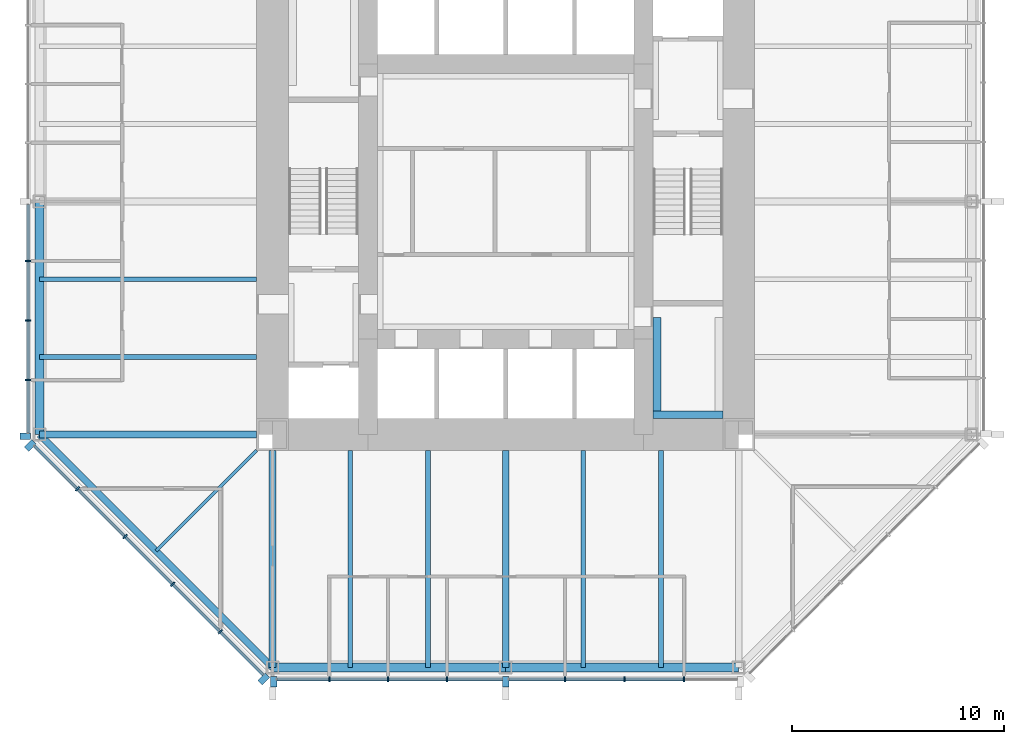
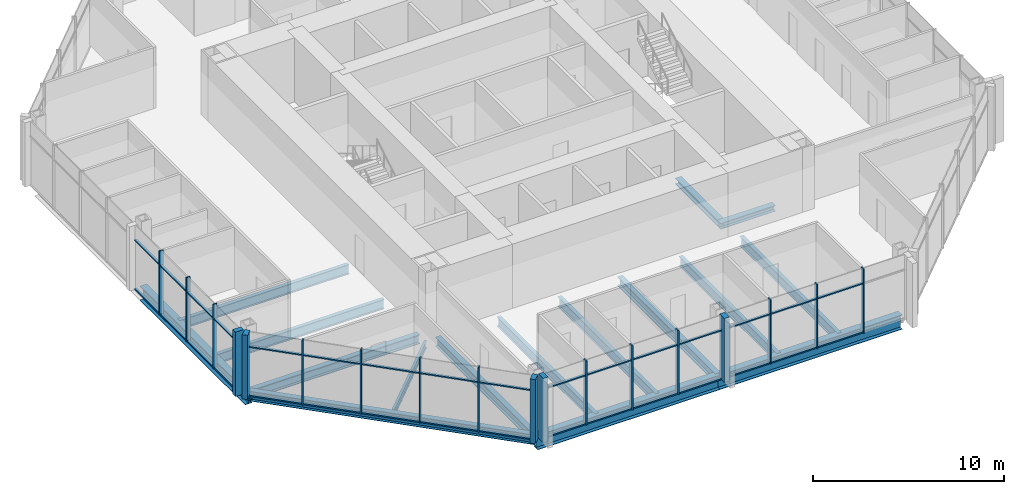
# One storey, part 2 of 12: 50 members, 16 beams, 3 elements without a shape of their own.
"""IFC4 building model written with IfcOpenShell, lengths in metres."""

import ifcopenshell
import ifcopenshell.guid

model = None  # the IFC model being written
_history = None  # IfcOwnerHistory: only IFC2X3 demands one
_inside = {}  # id of a spatial element -> (the spatial element, [elements in it])
_under = {}  # id of a project, library or spatial element -> (it, [spatial elements below it])
_declared = {}  # id of a project -> (the project, [libraries it declares])
_typed = {}  # id of a type object -> (the type object, [elements of that type])
_made_of = {}  # id of a material, layer set ... -> (it, [elements and type objects made of it])


def new_model(schema):
    """Start an empty IFC model of exactly this schema.

    Asked for "IFC4X3", IfcOpenShell would pick the latest addendum, in which some entities
    have other attributes; the version numbers below select the first issue.
    IFC2X3 requires an IfcOwnerHistory on every rooted entity: one is made here for all.
    """
    global model, _history
    if schema == "IFC4X3":
        model = ifcopenshell.file(schema_version=(4, 3, 0, 0))
    else:
        model = ifcopenshell.file(schema=schema)
    _inside.clear()
    _under.clear()
    _declared.clear()
    _typed.clear()
    _made_of.clear()
    _history = None
    if model.schema == "IFC2X3":
        org = make("IfcOrganization", Name="unknown")
        user = make(
            "IfcPersonAndOrganization",
            ThePerson=make("IfcPerson", FamilyName="unknown"),
            TheOrganization=org,
        )
        app = make(
            "IfcApplication",
            ApplicationDeveloper=org,
            Version="unknown",
            ApplicationFullName="unknown",
            ApplicationIdentifier="unknown",
        )
        _history = make(
            "IfcOwnerHistory",
            OwningUser=user,
            OwningApplication=app,
            ChangeAction="ADDED",
            CreationDate=0,
        )
    return model


def make(cls, **values):
    """One entity of the class cls with the attributes given. An attribute that is None is left unset."""
    return model.create_entity(
        cls, **{name: value for name, value in values.items() if value is not None}
    )


def rooted(cls, **values):
    """An entity with a GlobalId (a new one), such as an element, a storey or a relation."""
    return make(cls, GlobalId=ifcopenshell.guid.new(), OwnerHistory=_history, **values)


def si_unit(unit_type, name, prefix=None):
    """IfcSIUnit, for example si_unit("LENGTHUNIT", "METRE", prefix="MILLI")."""
    return make("IfcSIUnit", UnitType=unit_type, Prefix=prefix, Name=name)


def assignment(units):
    """IfcUnitAssignment: the units of a project."""
    return None if units is None else make("IfcUnitAssignment", Units=units)


def point(xyz):
    """IfcCartesianPoint."""
    return None if xyz is None else make("IfcCartesianPoint", Coordinates=xyz)


def direction(xyz):
    """IfcDirection."""
    return None if xyz is None else make("IfcDirection", DirectionRatios=xyz)


def frame(location, z_axis=None, x_axis=None):
    """IfcAxis2Placement3D, a coordinate frame: its origin and axes. An axis left out is left unset."""
    return make(
        "IfcAxis2Placement3D",
        Location=point(location),
        Axis=direction(z_axis),
        RefDirection=direction(x_axis),
    )


def frame_2d(location, x_axis=None):
    """IfcAxis2Placement2D, a coordinate frame in the plane: its origin and x axis."""
    return make(
        "IfcAxis2Placement2D", Location=point(location), RefDirection=direction(x_axis)
    )


def origin():
    """The frame at (0, 0, 0) with its axes left unset."""
    return frame((0.0, 0.0, 0.0))


def origin_2d():
    """The frame at (0, 0) in the plane with its x axis left unset."""
    return frame_2d((0.0, 0.0))


def place(relative_to, where):
    """IfcLocalPlacement: puts the frame where relative to a parent placement (None: the world)."""
    return make(
        "IfcLocalPlacement", PlacementRelTo=relative_to, RelativePlacement=where
    )


def context(
    kind, dimensions, precision=None, world=None, true_north=None, identifier=None
):
    """IfcGeometricRepresentationContext, for example the 3D "Model" context."""
    return make(
        "IfcGeometricRepresentationContext",
        ContextIdentifier=identifier,
        ContextType=kind,
        CoordinateSpaceDimension=dimensions,
        Precision=precision,
        WorldCoordinateSystem=world,
        TrueNorth=true_north,
    )


def subcontext(parent, identifier, kind, view, scale=None):
    """IfcGeometricRepresentationSubContext, for example "Body" below "Model"."""
    return make(
        "IfcGeometricRepresentationSubContext",
        ContextIdentifier=identifier,
        ContextType=kind,
        ParentContext=parent,
        TargetScale=scale,
        TargetView=view,
    )


def project(units=None, contexts=None):
    """IfcProject with its units and contexts."""
    return rooted(
        "IfcProject",
        Name="project",
        RepresentationContexts=contexts,
        UnitsInContext=assignment(units),
    )


def spatial(cls, under=None, at=None, **own):
    """A site, building, storey or space (cls), placed at a placement, below another one or the project."""
    s = rooted(cls, ObjectPlacement=at, **own)
    if under is not None:
        _under.setdefault(under.id(), (under, []))[1].append(s)
    return s


def profile(cls, at=None, kind="AREA", **sizes):
    """A parametric profile (cls). Its sizes go by their IFC names, for example OverallWidth=200.0."""
    return make(cls, ProfileType=kind, Position=at, **sizes)


def rectangle(**sizes):
    """IfcRectangleProfileDef."""
    return profile("IfcRectangleProfileDef", **sizes)


def i_section(**sizes):
    """IfcIShapeProfileDef."""
    return profile("IfcIShapeProfileDef", **sizes)


def extrude(swept, where, along, depth):
    """IfcExtrudedAreaSolid: the profile swept, set in the frame where, extruded along a direction by depth."""
    return make(
        "IfcExtrudedAreaSolid",
        SweptArea=swept,
        Position=where,
        ExtrudedDirection=direction(along),
        Depth=depth,
    )


def shape(context_of_items, identifier, shape_type, items):
    """IfcShapeRepresentation: the items that make up one representation, for example the "Body"."""
    return make(
        "IfcShapeRepresentation",
        ContextOfItems=context_of_items,
        RepresentationIdentifier=identifier,
        RepresentationType=shape_type,
        Items=items,
    )


def material(Name=None, Category=None):
    """IfcMaterial."""
    return make("IfcMaterial", Name=Name, Category=Category)


def material_profile(
    of_material, cross_section, Name=None, Category=None, Priority=None
):
    """IfcMaterialProfile: a cross section and its material."""
    return make(
        "IfcMaterialProfile",
        Name=Name,
        Material=of_material,
        Profile=cross_section,
        Priority=Priority,
        Category=Category,
    )


def profile_set(profiles, Name=None, composite=None):
    """IfcMaterialProfileSet."""
    return make(
        "IfcMaterialProfileSet",
        Name=Name,
        MaterialProfiles=profiles,
        CompositeProfile=composite,
    )


def made_of(thing, what):
    """Note that an element or type object is made of a material, layer set ...; save() writes the relation."""
    if what is not None:
        _made_of.setdefault(what.id(), (what, []))[1].append(thing)
    return thing


def type_object(cls, material=None, **own):
    """A type object (cls), such as IfcWallType, which elements share."""
    return made_of(rooted(cls, **own), material)


def element(
    cls,
    number,
    at=None,
    inside=None,
    cuts=None,
    type_object=None,
    material=None,
    context=None,
    identifier="Body",
    shape_type=None,
    held_by="IfcProductDefinitionShape",
    body=None,
    shapes=None,
    **own,
):
    """One element of the class cls, such as IfcWall. Its Tag is "e" and its number.

    at: its placement. inside: the storey or other place that contains it. cuts: it is an
    opening in that element (IfcRelVoidsElement). A single representation is given by context,
    identifier, shape_type and body (its items); several are given by shapes. held_by: the class
    of the entity that holds the representations. save() writes the other relations.
    """
    e = rooted(cls, Tag="e%d" % number, ObjectPlacement=at, **own)
    if body is not None:
        shapes = [shape(context, identifier, shape_type, body)]
    if shapes is not None:
        e.Representation = make(held_by, Representations=shapes)
    if inside is not None:
        _inside.setdefault(inside.id(), (inside, []))[1].append(e)
    if cuts is not None:
        rooted(
            "IfcRelVoidsElement", RelatingBuildingElement=cuts, RelatedOpeningElement=e
        )
    if type_object is not None:
        _typed.setdefault(type_object.id(), (type_object, []))[1].append(e)
    return made_of(e, material)


def aggregate(whole, parts):
    """IfcRelAggregates: a whole, such as a stair, and the parts it consists of."""
    return rooted("IfcRelAggregates", RelatingObject=whole, RelatedObjects=parts)


def save(model, path):
    """Write the relations noted so far, then the file.

    IfcRelAggregates (storeys below a building ...), IfcRelContainedInSpatialStructure (elements
    in a storey), IfcRelDefinesByType, IfcRelAssociatesMaterial and IfcRelDeclares: one each for
    every whole, place, type object, material and project.
    """
    for whole, parts in _under.values():
        aggregate(whole, parts)
    for where, things in _inside.values():
        rooted(
            "IfcRelContainedInSpatialStructure",
            RelatedElements=things,
            RelatingStructure=where,
        )
    for kind, things in _typed.values():
        rooted("IfcRelDefinesByType", RelatedObjects=things, RelatingType=kind)
    for what, things in _made_of.values():
        rooted("IfcRelAssociatesMaterial", RelatedObjects=things, RelatingMaterial=what)
    for by, libraries in _declared.values():
        rooted("IfcRelDeclares", RelatingContext=by, RelatedDefinitions=libraries)
    model.write(path)


model = new_model("IFC4")

# Units and contexts
model_context = context("Model", 3, precision=1e-05, world=origin(), true_north=direction((0.0, 1.0)))
body_context = subcontext(model_context, "Body", "Model", "MODEL_VIEW")
ifc_project = project(units=[si_unit("LENGTHUNIT", "METRE"), si_unit("AREAUNIT", "SQUARE_METRE"), si_unit("VOLUMEUNIT", "CUBIC_METRE"), si_unit("PLANEANGLEUNIT", "RADIAN"), si_unit("MASSUNIT", "GRAM", prefix="KILO")], contexts=[model_context])

# Site, building, storey
site_placement = place(None, origin())
site = spatial("IfcSite", under=ifc_project, at=site_placement, CompositionType="ELEMENT")
building_placement = place(site_placement, origin())
building = spatial("IfcBuilding", under=site, at=building_placement, Name="Trevanion Tower", CompositionType="ELEMENT")
storey_placement = place(building_placement, frame((0.0, 0.0, 170.5)))
storey = spatial("IfcBuildingStorey", under=building, at=storey_placement, Name="L40", CompositionType="ELEMENT", Elevation=170.5)

# Beams
ifc_material_1 = material(Name="Steel ASTM A992 Grade 50", Category="steel")
ifc_material_profile_1 = material_profile(ifc_material_1, i_section(OverallWidth=0.22900390625, OverallDepth=0.612060546875, WebThickness=0.011962890625, FlangeThickness=0.01953125, at=origin_2d()), Name="W24X84")
ifc_profile_set_1 = profile_set([ifc_material_profile_1], Name="Steel ASTM A992 Grade 50")
beam_type_1 = type_object("IfcBeamType", Name="B7 W24X84", PredefinedType="BEAM", material=ifc_profile_set_1)
for number, where, z_axis, x_axis, name in (
    (1, (-11.75, -3.666748046875, -0.49609375), (-1.0, 0.0, 0.0), (0.0, -1.0, 0.0), "B7 L40"),
    (2, (-11.75, -7.333251953125, -0.49609375), (-1.0, 0.0, 0.0), (0.0, -1.0, 0.0), "B7 L40"),
    (3, (-7.333251953125, -11.75, -0.49609375), (0.0, -1.0, 0.0), (1.0, 0.0, 0.0), "B7 L40"),
    (4, (-3.666748046875, -11.75, -0.49609375), (0.0, -1.0, 0.0), (1.0, 0.0, 0.0), "B7 L40"),
    (5, (3.666748046875, -11.75, -0.49609375), (0.0, -1.0, 0.0), (1.0, 0.0, 0.0), "B7 L40"),
    (6, (7.333251953125, -11.75, -0.49609375), (0.0, -1.0, 0.0), (1.0, 0.0, 0.0), "B7 L40"),
):
    element("IfcBeam", number, at=place(storey_placement, frame(where, z_axis=z_axis, x_axis=x_axis)), inside=storey, type_object=beam_type_1, Name=name, PredefinedType="BEAM", context=body_context, shape_type="SweptSolid", body=[
        extrude(i_section(OverallWidth=0.22900390625, OverallDepth=0.612060546875, WebThickness=0.011962890625, FlangeThickness=0.01953125, at=origin_2d()), origin(), (0.0, 0.0, 1.0), 10.25),
    ])
ifc_material_2 = material(Name="Steel ASTM A992 Grade 50", Category="steel")
ifc_material_profile_2 = material_profile(ifc_material_2, i_section(OverallWidth=0.15234375, OverallDepth=0.449462890625, WebThickness=0.007568359375, FlangeThickness=0.0107421875, at=origin_2d()), Name="W18X35")
ifc_profile_set_2 = profile_set([ifc_material_profile_2], Name="Steel ASTM A992 Grade 50")
beam_type_2 = type_object("IfcBeamType", Name="B8 W18X35", PredefinedType="BEAM", material=ifc_profile_set_2)
beam_1_placement = place(storey_placement, frame((-11.75, -11.75, -0.414794921875), z_axis=(-0.707106781187, -0.707106781187, 0.0), x_axis=(0.707106781187, -0.707106781187, 0.0)))
element("IfcBeam", 7, at=beam_1_placement, inside=storey, type_object=beam_type_2, Name="B8 L40", PredefinedType="BEAM", context=body_context, shape_type="SweptSolid", body=[
    extrude(i_section(OverallWidth=0.15234375, OverallDepth=0.449462890625, WebThickness=0.007568359375, FlangeThickness=0.0107421875, at=origin_2d()), origin(), (0.0, 0.0, 1.0), 6.717529296875),
])

# Curtain wall, members
ifc_material_3 = material(Name="Aluminium and glass", Category="aluminium")
curtain_wall_type = type_object("IfcCurtainWallType", Name="CW2 curtain wall", PredefinedType="USERDEFINED", material=ifc_material_3)
curtain_wall_1_placement = place(storey_placement, origin())
curtain_wall_1 = element("IfcCurtainWall", 8, at=curtain_wall_1_placement, inside=storey, type_object=curtain_wall_type, Name="CW2 L40 4", ObjectType="UNITISED CURTAIN WALL", PredefinedType="USERDEFINED")
ifc_material_4 = material(Name="Aluminium extrusion, anodised bronze", Category="aluminium")
ifc_material_profile_3 = material_profile(ifc_material_4, rectangle(XDim=0.074951171875, YDim=0.25, at=origin_2d()), Name="CW2 mullion")
ifc_profile_set_3 = profile_set([ifc_material_profile_3], Name="Aluminium extrusion, anodised bronze")
member_type_1 = type_object("IfcMemberType", Name="CW2 mullion", PredefinedType="MULLION", material=ifc_profile_set_3)
member_1_placement = place(storey_placement, frame((-22.550048828125, -2.806884765625, -0.18994140625), z_axis=(0.0, 0.0, 1.0), x_axis=(0.0, -1.0, 0.0)))
member_1 = element("IfcMember", 9, at=member_1_placement, type_object=member_type_1, Name="CW2 mullion 6", PredefinedType="MULLION", context=body_context, shape_type="SweptSolid", body=[
    extrude(rectangle(XDim=0.074951171875, YDim=0.25, at=origin_2d()), origin(), (0.0, 0.0, 1.0), 4.099853515625),
])
member_2_placement = place(storey_placement, frame((-22.550048828125, -5.614013671875, -0.18994140625), z_axis=(0.0, 0.0, 1.0), x_axis=(0.0, -1.0, 0.0)))
member_2 = element("IfcMember", 10, at=member_2_placement, type_object=member_type_1, Name="CW2 mullion 7", PredefinedType="MULLION", context=body_context, shape_type="SweptSolid", body=[
    extrude(rectangle(XDim=0.074951171875, YDim=0.25, at=origin_2d()), origin(), (0.0, 0.0, 1.0), 4.099853515625),
])
member_3_placement = place(storey_placement, frame((-22.550048828125, -8.4208984375, -0.18994140625), z_axis=(0.0, 0.0, 1.0), x_axis=(0.0, -1.0, 0.0)))
member_3 = element("IfcMember", 11, at=member_3_placement, type_object=member_type_1, Name="CW2 mullion 8", PredefinedType="MULLION", context=body_context, shape_type="SweptSolid", body=[
    extrude(rectangle(XDim=0.074951171875, YDim=0.25, at=origin_2d()), origin(), (0.0, 0.0, 1.0), 4.099853515625),
])

curtain_wall_2_placement = place(storey_placement, origin())
curtain_wall_2 = element("IfcCurtainWall", 12, at=curtain_wall_2_placement, inside=storey, type_object=curtain_wall_type, Name="CW2 L40 5", ObjectType="UNITISED CURTAIN WALL", PredefinedType="USERDEFINED")
member_4_placement = place(storey_placement, frame((-20.2119140625, -13.56591796875, -0.18994140625), z_axis=(0.0, 0.0, 1.0), x_axis=(0.707106781187, -0.707106781187, 0.0)))
member_4 = element("IfcMember", 13, at=member_4_placement, type_object=member_type_1, Name="CW2 mullion 2", PredefinedType="MULLION", context=body_context, shape_type="SweptSolid", body=[
    extrude(rectangle(XDim=0.074951171875, YDim=0.25, at=origin_2d()), origin(), (0.0, 0.0, 1.0), 4.099853515625),
])
member_5_placement = place(storey_placement, frame((-17.966064453125, -15.811767578125, -0.18994140625), z_axis=(0.0, 0.0, 1.0), x_axis=(0.707106781187, -0.707106781187, 0.0)))
member_5 = element("IfcMember", 14, at=member_5_placement, type_object=member_type_1, Name="CW2 mullion 3", PredefinedType="MULLION", context=body_context, shape_type="SweptSolid", body=[
    extrude(rectangle(XDim=0.074951171875, YDim=0.25, at=origin_2d()), origin(), (0.0, 0.0, 1.0), 4.099853515625),
])
member_6_placement = place(storey_placement, frame((-15.719970703125, -18.057861328125, -0.18994140625), z_axis=(0.0, 0.0, 1.0), x_axis=(0.707106781187, -0.707106781187, 0.0)))
member_6 = element("IfcMember", 15, at=member_6_placement, type_object=member_type_1, Name="CW2 mullion 4", PredefinedType="MULLION", context=body_context, shape_type="SweptSolid", body=[
    extrude(rectangle(XDim=0.074951171875, YDim=0.25, at=origin_2d()), origin(), (0.0, 0.0, 1.0), 4.099853515625),
])
member_7_placement = place(storey_placement, frame((-13.473876953125, -20.303955078125, -0.18994140625), z_axis=(0.0, 0.0, 1.0), x_axis=(0.707106781187, -0.707106781187, 0.0)))
member_7 = element("IfcMember", 16, at=member_7_placement, type_object=member_type_1, Name="CW2 mullion 5", PredefinedType="MULLION", context=body_context, shape_type="SweptSolid", body=[
    extrude(rectangle(XDim=0.074951171875, YDim=0.25, at=origin_2d()), origin(), (0.0, 0.0, 1.0), 4.099853515625),
])

curtain_wall_3_placement = place(storey_placement, origin())
curtain_wall_3 = element("IfcCurtainWall", 17, at=curtain_wall_3_placement, inside=storey, type_object=curtain_wall_type, Name="CW2 L40 6", ObjectType="UNITISED CURTAIN WALL", PredefinedType="USERDEFINED")
member_8_placement = place(storey_placement, frame((-8.323486328125, -22.550048828125, -0.18994140625), z_axis=(0.0, 0.0, 1.0), x_axis=(1.0, 0.0, 0.0)))
member_8 = element("IfcMember", 18, at=member_8_placement, type_object=member_type_1, Name="CW2 mullion 2", PredefinedType="MULLION", context=body_context, shape_type="SweptSolid", body=[
    extrude(rectangle(XDim=0.074951171875, YDim=0.25, at=origin_2d()), origin(), (0.0, 0.0, 1.0), 4.099853515625),
])
member_9_placement = place(storey_placement, frame((-5.548828125, -22.550048828125, -0.18994140625), z_axis=(0.0, 0.0, 1.0), x_axis=(1.0, 0.0, 0.0)))
member_9 = element("IfcMember", 19, at=member_9_placement, type_object=member_type_1, Name="CW2 mullion 3", PredefinedType="MULLION", context=body_context, shape_type="SweptSolid", body=[
    extrude(rectangle(XDim=0.074951171875, YDim=0.25, at=origin_2d()), origin(), (0.0, 0.0, 1.0), 4.099853515625),
])
member_10_placement = place(storey_placement, frame((-2.7744140625, -22.550048828125, -0.18994140625), z_axis=(0.0, 0.0, 1.0), x_axis=(1.0, 0.0, 0.0)))
member_10 = element("IfcMember", 20, at=member_10_placement, type_object=member_type_1, Name="CW2 mullion 4", PredefinedType="MULLION", context=body_context, shape_type="SweptSolid", body=[
    extrude(rectangle(XDim=0.074951171875, YDim=0.25, at=origin_2d()), origin(), (0.0, 0.0, 1.0), 4.099853515625),
])
member_11_placement = place(storey_placement, frame((2.806884765625, -22.550048828125, -0.18994140625), z_axis=(0.0, 0.0, 1.0), x_axis=(1.0, 0.0, 0.0)))
member_11 = element("IfcMember", 21, at=member_11_placement, type_object=member_type_1, Name="CW2 mullion 6", PredefinedType="MULLION", context=body_context, shape_type="SweptSolid", body=[
    extrude(rectangle(XDim=0.074951171875, YDim=0.25, at=origin_2d()), origin(), (0.0, 0.0, 1.0), 4.099853515625),
])
member_12_placement = place(storey_placement, frame((5.614013671875, -22.550048828125, -0.18994140625), z_axis=(0.0, 0.0, 1.0), x_axis=(1.0, 0.0, 0.0)))
member_12 = element("IfcMember", 22, at=member_12_placement, type_object=member_type_1, Name="CW2 mullion 7", PredefinedType="MULLION", context=body_context, shape_type="SweptSolid", body=[
    extrude(rectangle(XDim=0.074951171875, YDim=0.25, at=origin_2d()), origin(), (0.0, 0.0, 1.0), 4.099853515625),
])
member_13_placement = place(storey_placement, frame((8.4208984375, -22.550048828125, -0.18994140625), z_axis=(0.0, 0.0, 1.0), x_axis=(1.0, 0.0, 0.0)))
member_13 = element("IfcMember", 23, at=member_13_placement, type_object=member_type_1, Name="CW2 mullion 8", PredefinedType="MULLION", context=body_context, shape_type="SweptSolid", body=[
    extrude(rectangle(XDim=0.074951171875, YDim=0.25, at=origin_2d()), origin(), (0.0, 0.0, 1.0), 4.099853515625),
])

# Member
ifc_material_5 = material(Name="Aluminium extrusion, anodised bronze", Category="aluminium")
ifc_material_profile_4 = material_profile(ifc_material_5, rectangle(XDim=0.300048828125, YDim=0.5, at=origin_2d()), Name="CW2 pier mullion")
ifc_profile_set_4 = profile_set([ifc_material_profile_4], Name="Aluminium extrusion, anodised bronze")
member_type_2 = type_object("IfcMemberType", Name="CW2 pier mullion", PredefinedType="MULLION", material=ifc_profile_set_4)
member_14_placement = place(storey_placement, frame((-22.675048828125, -11.077880859375, -0.18994140625), z_axis=(0.0, 0.0, 1.0), x_axis=(0.0, -1.0, 0.0)))
member_14 = element("IfcMember", 24, at=member_14_placement, type_object=member_type_2, Name="CW2 pier mullion 9", PredefinedType="MULLION", context=body_context, shape_type="SweptSolid", body=[
    extrude(rectangle(XDim=0.300048828125, YDim=0.5, at=origin_2d()), origin(), (0.0, 0.0, 1.0), 4.099853515625),
])

member_15_placement = place(storey_placement, frame((-22.4404296875, -11.51416015625, -0.18994140625), z_axis=(0.0, 0.0, 1.0), x_axis=(0.707106781187, -0.707106781187, 0.0)))
member_15 = element("IfcMember", 25, at=member_15_placement, type_object=member_type_2, Name="CW2 pier mullion 1", PredefinedType="MULLION", context=body_context, shape_type="SweptSolid", body=[
    extrude(rectangle(XDim=0.300048828125, YDim=0.5, at=origin_2d()), origin(), (0.0, 0.0, 1.0), 4.099853515625),
])

member_16_placement = place(storey_placement, frame((-11.42236328125, -22.5322265625, -0.18994140625), z_axis=(0.0, 0.0, 1.0), x_axis=(0.707106781187, -0.707106781187, 0.0)))
member_16 = element("IfcMember", 26, at=member_16_placement, type_object=member_type_2, Name="CW2 pier mullion 6", PredefinedType="MULLION", context=body_context, shape_type="SweptSolid", body=[
    extrude(rectangle(XDim=0.300048828125, YDim=0.5, at=origin_2d()), origin(), (0.0, 0.0, 1.0), 4.099853515625),
])

member_17_placement = place(storey_placement, frame((-10.94775390625, -22.675048828125, -0.18994140625), z_axis=(0.0, 0.0, 1.0), x_axis=(1.0, 0.0, 0.0)))
member_17 = element("IfcMember", 27, at=member_17_placement, type_object=member_type_2, Name="CW2 pier mullion 1", PredefinedType="MULLION", context=body_context, shape_type="SweptSolid", body=[
    extrude(rectangle(XDim=0.300048828125, YDim=0.5, at=origin_2d()), origin(), (0.0, 0.0, 1.0), 4.099853515625),
])

member_18_placement = place(storey_placement, frame((0.0, -22.675048828125, -0.18994140625), z_axis=(0.0, 0.0, 1.0), x_axis=(1.0, 0.0, 0.0)))
member_18 = element("IfcMember", 28, at=member_18_placement, type_object=member_type_2, Name="CW2 pier mullion 5", PredefinedType="MULLION", context=body_context, shape_type="SweptSolid", body=[
    extrude(rectangle(XDim=0.300048828125, YDim=0.5, at=origin_2d()), origin(), (0.0, 0.0, 1.0), 4.099853515625),
])

ifc_material_6 = material(Name="Aluminium extrusion, anodised bronze", Category="aluminium")
ifc_material_profile_5 = material_profile(ifc_material_6, rectangle(XDim=0.14990234375, YDim=0.074951171875, at=origin_2d()), Name="CW2 transom")
ifc_profile_set_5 = profile_set([ifc_material_profile_5], Name="Aluminium extrusion, anodised bronze")
member_type_3 = type_object("IfcMemberType", Name="CW2 transom", PredefinedType="USERDEFINED", material=ifc_profile_set_5)
member_19_placement = place(storey_placement, frame((-22.550048828125, -0.14990234375, -0.152587890625), z_axis=(0.0, -1.0, 0.0), x_axis=(1.0, 0.0, 0.0)))
member_19 = element("IfcMember", 29, at=member_19_placement, type_object=member_type_3, Name="CW2 transom 5.1", ObjectType="TRANSOM", PredefinedType="USERDEFINED", context=body_context, shape_type="SweptSolid", body=[
    extrude(rectangle(XDim=0.14990234375, YDim=0.074951171875, at=origin_2d()), origin(), (0.0, 0.0, 1.0), 2.619384765625),
])

member_20_placement = place(storey_placement, frame((-22.550048828125, -0.14990234375, 2.9599609375), z_axis=(0.0, -1.0, 0.0), x_axis=(1.0, 0.0, 0.0)))
member_20 = element("IfcMember", 30, at=member_20_placement, type_object=member_type_3, Name="CW2 transom 5.2", ObjectType="TRANSOM", PredefinedType="USERDEFINED", context=body_context, shape_type="SweptSolid", body=[
    extrude(rectangle(XDim=0.14990234375, YDim=0.074951171875, at=origin_2d()), origin(), (0.0, 0.0, 1.0), 2.619384765625),
])

member_21_placement = place(storey_placement, frame((-22.550048828125, -2.844482421875, -0.152587890625), z_axis=(0.0, -1.0, 0.0), x_axis=(1.0, 0.0, 0.0)))
member_21 = element("IfcMember", 31, at=member_21_placement, type_object=member_type_3, Name="CW2 transom 6.1", ObjectType="TRANSOM", PredefinedType="USERDEFINED", context=body_context, shape_type="SweptSolid", body=[
    extrude(rectangle(XDim=0.14990234375, YDim=0.074951171875, at=origin_2d()), origin(), (0.0, 0.0, 1.0), 2.73193359375),
])

member_22_placement = place(storey_placement, frame((-22.550048828125, -2.844482421875, 2.9599609375), z_axis=(0.0, -1.0, 0.0), x_axis=(1.0, 0.0, 0.0)))
member_22 = element("IfcMember", 32, at=member_22_placement, type_object=member_type_3, Name="CW2 transom 6.2", ObjectType="TRANSOM", PredefinedType="USERDEFINED", context=body_context, shape_type="SweptSolid", body=[
    extrude(rectangle(XDim=0.14990234375, YDim=0.074951171875, at=origin_2d()), origin(), (0.0, 0.0, 1.0), 2.73193359375),
])

member_23_placement = place(storey_placement, frame((-22.550048828125, -5.6513671875, -0.152587890625), z_axis=(0.0, -1.0, 0.0), x_axis=(1.0, 0.0, 0.0)))
member_23 = element("IfcMember", 33, at=member_23_placement, type_object=member_type_3, Name="CW2 transom 7.1", ObjectType="TRANSOM", PredefinedType="USERDEFINED", context=body_context, shape_type="SweptSolid", body=[
    extrude(rectangle(XDim=0.14990234375, YDim=0.074951171875, at=origin_2d()), origin(), (0.0, 0.0, 1.0), 2.73193359375),
])

member_24_placement = place(storey_placement, frame((-22.550048828125, -5.6513671875, 2.9599609375), z_axis=(0.0, -1.0, 0.0), x_axis=(1.0, 0.0, 0.0)))
member_24 = element("IfcMember", 34, at=member_24_placement, type_object=member_type_3, Name="CW2 transom 7.2", ObjectType="TRANSOM", PredefinedType="USERDEFINED", context=body_context, shape_type="SweptSolid", body=[
    extrude(rectangle(XDim=0.14990234375, YDim=0.074951171875, at=origin_2d()), origin(), (0.0, 0.0, 1.0), 2.73193359375),
])

member_25_placement = place(storey_placement, frame((-22.550048828125, -8.45849609375, -0.152587890625), z_axis=(0.0, -1.0, 0.0), x_axis=(1.0, 0.0, 0.0)))
member_25 = element("IfcMember", 35, at=member_25_placement, type_object=member_type_3, Name="CW2 transom 8.1", ObjectType="TRANSOM", PredefinedType="USERDEFINED", context=body_context, shape_type="SweptSolid", body=[
    extrude(rectangle(XDim=0.14990234375, YDim=0.074951171875, at=origin_2d()), origin(), (0.0, 0.0, 1.0), 2.46923828125),
])

member_26_placement = place(storey_placement, frame((-22.550048828125, -8.45849609375, 2.9599609375), z_axis=(0.0, -1.0, 0.0), x_axis=(1.0, 0.0, 0.0)))
member_26 = element("IfcMember", 36, at=member_26_placement, type_object=member_type_3, Name="CW2 transom 8.2", ObjectType="TRANSOM", PredefinedType="USERDEFINED", context=body_context, shape_type="SweptSolid", body=[
    extrude(rectangle(XDim=0.14990234375, YDim=0.074951171875, at=origin_2d()), origin(), (0.0, 0.0, 1.0), 2.46923828125),
])

aggregate(curtain_wall_1, [member_1, member_2, member_3, member_14, member_19, member_20, member_21, member_22, member_23, member_24, member_25, member_26])

member_27_placement = place(storey_placement, frame((-22.245849609375, -11.531982421875, -0.152587890625), z_axis=(0.707106781187, -0.707106781187, 0.0), x_axis=(0.707106781187, 0.707106781187, 0.0)))
member_27 = element("IfcMember", 37, at=member_27_placement, type_object=member_type_3, Name="CW2 transom 1.1", ObjectType="TRANSOM", PredefinedType="USERDEFINED", context=body_context, shape_type="SweptSolid", body=[
    extrude(rectangle(XDim=0.14990234375, YDim=0.074951171875, at=origin_2d()), origin(), (0.0, 0.0, 1.0), 2.8388671875),
])

member_28_placement = place(storey_placement, frame((-22.245849609375, -11.531982421875, 2.9599609375), z_axis=(0.707106781187, -0.707106781187, 0.0), x_axis=(0.707106781187, 0.707106781187, 0.0)))
member_28 = element("IfcMember", 38, at=member_28_placement, type_object=member_type_3, Name="CW2 transom 1.2", ObjectType="TRANSOM", PredefinedType="USERDEFINED", context=body_context, shape_type="SweptSolid", body=[
    extrude(rectangle(XDim=0.14990234375, YDim=0.074951171875, at=origin_2d()), origin(), (0.0, 0.0, 1.0), 2.8388671875),
])

member_29_placement = place(storey_placement, frame((-20.185546875, -13.59228515625, -0.152587890625), z_axis=(0.707106781187, -0.707106781187, 0.0), x_axis=(0.707106781187, 0.707106781187, 0.0)))
member_29 = element("IfcMember", 39, at=member_29_placement, type_object=member_type_3, Name="CW2 transom 2.1", ObjectType="TRANSOM", PredefinedType="USERDEFINED", context=body_context, shape_type="SweptSolid", body=[
    extrude(rectangle(XDim=0.14990234375, YDim=0.074951171875, at=origin_2d()), origin(), (0.0, 0.0, 1.0), 3.1015625),
])

member_30_placement = place(storey_placement, frame((-20.185546875, -13.59228515625, 2.9599609375), z_axis=(0.707106781187, -0.707106781187, 0.0), x_axis=(0.707106781187, 0.707106781187, 0.0)))
member_30 = element("IfcMember", 40, at=member_30_placement, type_object=member_type_3, Name="CW2 transom 2.2", ObjectType="TRANSOM", PredefinedType="USERDEFINED", context=body_context, shape_type="SweptSolid", body=[
    extrude(rectangle(XDim=0.14990234375, YDim=0.074951171875, at=origin_2d()), origin(), (0.0, 0.0, 1.0), 3.1015625),
])

member_31_placement = place(storey_placement, frame((-17.939453125, -15.83837890625, -0.152587890625), z_axis=(0.707106781187, -0.707106781187, 0.0), x_axis=(0.707106781187, 0.707106781187, 0.0)))
member_31 = element("IfcMember", 41, at=member_31_placement, type_object=member_type_3, Name="CW2 transom 3.1", ObjectType="TRANSOM", PredefinedType="USERDEFINED", context=body_context, shape_type="SweptSolid", body=[
    extrude(rectangle(XDim=0.14990234375, YDim=0.074951171875, at=origin_2d()), origin(), (0.0, 0.0, 1.0), 3.1015625),
])

member_32_placement = place(storey_placement, frame((-17.939453125, -15.83837890625, 2.9599609375), z_axis=(0.707106781187, -0.707106781187, 0.0), x_axis=(0.707106781187, 0.707106781187, 0.0)))
member_32 = element("IfcMember", 42, at=member_32_placement, type_object=member_type_3, Name="CW2 transom 3.2", ObjectType="TRANSOM", PredefinedType="USERDEFINED", context=body_context, shape_type="SweptSolid", body=[
    extrude(rectangle(XDim=0.14990234375, YDim=0.074951171875, at=origin_2d()), origin(), (0.0, 0.0, 1.0), 3.1015625),
])

member_33_placement = place(storey_placement, frame((-15.693359375, -18.08447265625, -0.152587890625), z_axis=(0.707106781187, -0.707106781187, 0.0), x_axis=(0.707106781187, 0.707106781187, 0.0)))
member_33 = element("IfcMember", 43, at=member_33_placement, type_object=member_type_3, Name="CW2 transom 4.1", ObjectType="TRANSOM", PredefinedType="USERDEFINED", context=body_context, shape_type="SweptSolid", body=[
    extrude(rectangle(XDim=0.14990234375, YDim=0.074951171875, at=origin_2d()), origin(), (0.0, 0.0, 1.0), 3.10107421875),
])

member_34_placement = place(storey_placement, frame((-15.693359375, -18.08447265625, 2.9599609375), z_axis=(0.707106781187, -0.707106781187, 0.0), x_axis=(0.707106781187, 0.707106781187, 0.0)))
member_34 = element("IfcMember", 44, at=member_34_placement, type_object=member_type_3, Name="CW2 transom 4.2", ObjectType="TRANSOM", PredefinedType="USERDEFINED", context=body_context, shape_type="SweptSolid", body=[
    extrude(rectangle(XDim=0.14990234375, YDim=0.074951171875, at=origin_2d()), origin(), (0.0, 0.0, 1.0), 3.10107421875),
])

member_35_placement = place(storey_placement, frame((-13.447509765625, -20.33056640625, -0.152587890625), z_axis=(0.707149778163, -0.707063781595, 0.0), x_axis=(0.707063781595, 0.707149778163, 0.0)))
member_35 = element("IfcMember", 45, at=member_35_placement, type_object=member_type_3, Name="CW2 transom 5.1", ObjectType="TRANSOM", PredefinedType="USERDEFINED", context=body_context, shape_type="SweptSolid", body=[
    extrude(rectangle(XDim=0.14990234375, YDim=0.074951171875, at=origin_2d()), origin(), (0.0, 0.0, 1.0), 2.8388671875),
])

member_36_placement = place(storey_placement, frame((-13.447509765625, -20.33056640625, 2.9599609375), z_axis=(0.707149778163, -0.707063781595, 0.0), x_axis=(0.707063781595, 0.707149778163, 0.0)))
member_36 = element("IfcMember", 46, at=member_36_placement, type_object=member_type_3, Name="CW2 transom 5.2", ObjectType="TRANSOM", PredefinedType="USERDEFINED", context=body_context, shape_type="SweptSolid", body=[
    extrude(rectangle(XDim=0.14990234375, YDim=0.074951171875, at=origin_2d()), origin(), (0.0, 0.0, 1.0), 2.8388671875),
])

aggregate(curtain_wall_2, [member_15, member_4, member_5, member_6, member_7, member_16, member_27, member_28, member_29, member_30, member_31, member_32, member_33, member_34, member_35, member_36])

member_37_placement = place(storey_placement, frame((-10.7978515625, -22.550048828125, -0.152587890625), z_axis=(1.0, 0.0, 0.0), x_axis=(0.0, 1.0, 0.0)))
member_37 = element("IfcMember", 47, at=member_37_placement, type_object=member_type_3, Name="CW2 transom 1.1", ObjectType="TRANSOM", PredefinedType="USERDEFINED", context=body_context, shape_type="SweptSolid", body=[
    extrude(rectangle(XDim=0.14990234375, YDim=0.074951171875, at=origin_2d()), origin(), (0.0, 0.0, 1.0), 2.43701171875),
])

member_38_placement = place(storey_placement, frame((-10.7978515625, -22.550048828125, 2.9599609375), z_axis=(1.0, 0.0, 0.0), x_axis=(0.0, 1.0, 0.0)))
member_38 = element("IfcMember", 48, at=member_38_placement, type_object=member_type_3, Name="CW2 transom 1.2", ObjectType="TRANSOM", PredefinedType="USERDEFINED", context=body_context, shape_type="SweptSolid", body=[
    extrude(rectangle(XDim=0.14990234375, YDim=0.074951171875, at=origin_2d()), origin(), (0.0, 0.0, 1.0), 2.43701171875),
])

member_39_placement = place(storey_placement, frame((-8.285888671875, -22.550048828125, -0.152587890625), z_axis=(1.0, 0.0, 0.0), x_axis=(0.0, 1.0, 0.0)))
member_39 = element("IfcMember", 49, at=member_39_placement, type_object=member_type_3, Name="CW2 transom 2.1", ObjectType="TRANSOM", PredefinedType="USERDEFINED", context=body_context, shape_type="SweptSolid", body=[
    extrude(rectangle(XDim=0.14990234375, YDim=0.074951171875, at=origin_2d()), origin(), (0.0, 0.0, 1.0), 2.699462890625),
])

member_40_placement = place(storey_placement, frame((-8.285888671875, -22.550048828125, 2.9599609375), z_axis=(1.0, 0.0, 0.0), x_axis=(0.0, 1.0, 0.0)))
member_40 = element("IfcMember", 50, at=member_40_placement, type_object=member_type_3, Name="CW2 transom 2.2", ObjectType="TRANSOM", PredefinedType="USERDEFINED", context=body_context, shape_type="SweptSolid", body=[
    extrude(rectangle(XDim=0.14990234375, YDim=0.074951171875, at=origin_2d()), origin(), (0.0, 0.0, 1.0), 2.699462890625),
])

member_41_placement = place(storey_placement, frame((-5.511474609375, -22.550048828125, -0.152587890625), z_axis=(1.0, 0.0, 0.0), x_axis=(0.0, 1.0, 0.0)))
member_41 = element("IfcMember", 51, at=member_41_placement, type_object=member_type_3, Name="CW2 transom 3.1", ObjectType="TRANSOM", PredefinedType="USERDEFINED", context=body_context, shape_type="SweptSolid", body=[
    extrude(rectangle(XDim=0.14990234375, YDim=0.074951171875, at=origin_2d()), origin(), (0.0, 0.0, 1.0), 2.699462890625),
])

member_42_placement = place(storey_placement, frame((-5.511474609375, -22.550048828125, 2.9599609375), z_axis=(1.0, 0.0, 0.0), x_axis=(0.0, 1.0, 0.0)))
member_42 = element("IfcMember", 52, at=member_42_placement, type_object=member_type_3, Name="CW2 transom 3.2", ObjectType="TRANSOM", PredefinedType="USERDEFINED", context=body_context, shape_type="SweptSolid", body=[
    extrude(rectangle(XDim=0.14990234375, YDim=0.074951171875, at=origin_2d()), origin(), (0.0, 0.0, 1.0), 2.699462890625),
])

member_43_placement = place(storey_placement, frame((-2.737060546875, -22.550048828125, -0.152587890625), z_axis=(1.0, 0.0, 0.0), x_axis=(0.0, 1.0, 0.0)))
member_43 = element("IfcMember", 53, at=member_43_placement, type_object=member_type_3, Name="CW2 transom 4.1", ObjectType="TRANSOM", PredefinedType="USERDEFINED", context=body_context, shape_type="SweptSolid", body=[
    extrude(rectangle(XDim=0.14990234375, YDim=0.074951171875, at=origin_2d()), origin(), (0.0, 0.0, 1.0), 2.587158203125),
])

member_44_placement = place(storey_placement, frame((-2.737060546875, -22.550048828125, 2.9599609375), z_axis=(1.0, 0.0, 0.0), x_axis=(0.0, 1.0, 0.0)))
member_44 = element("IfcMember", 54, at=member_44_placement, type_object=member_type_3, Name="CW2 transom 4.2", ObjectType="TRANSOM", PredefinedType="USERDEFINED", context=body_context, shape_type="SweptSolid", body=[
    extrude(rectangle(XDim=0.14990234375, YDim=0.074951171875, at=origin_2d()), origin(), (0.0, 0.0, 1.0), 2.587158203125),
])

member_45_placement = place(storey_placement, frame((0.14990234375, -22.550048828125, -0.152587890625), z_axis=(1.0, 0.0, 0.0), x_axis=(0.0, 1.0, 0.0)))
member_45 = element("IfcMember", 55, at=member_45_placement, type_object=member_type_3, Name="CW2 transom 5.1", ObjectType="TRANSOM", PredefinedType="USERDEFINED", context=body_context, shape_type="SweptSolid", body=[
    extrude(rectangle(XDim=0.14990234375, YDim=0.074951171875, at=origin_2d()), origin(), (0.0, 0.0, 1.0), 2.619384765625),
])

member_46_placement = place(storey_placement, frame((0.14990234375, -22.550048828125, 2.9599609375), z_axis=(1.0, 0.0, 0.0), x_axis=(0.0, 1.0, 0.0)))
member_46 = element("IfcMember", 56, at=member_46_placement, type_object=member_type_3, Name="CW2 transom 5.2", ObjectType="TRANSOM", PredefinedType="USERDEFINED", context=body_context, shape_type="SweptSolid", body=[
    extrude(rectangle(XDim=0.14990234375, YDim=0.074951171875, at=origin_2d()), origin(), (0.0, 0.0, 1.0), 2.619384765625),
])

member_47_placement = place(storey_placement, frame((2.844482421875, -22.550048828125, -0.152587890625), z_axis=(1.0, 0.0, 0.0), x_axis=(0.0, 1.0, 0.0)))
member_47 = element("IfcMember", 57, at=member_47_placement, type_object=member_type_3, Name="CW2 transom 6.1", ObjectType="TRANSOM", PredefinedType="USERDEFINED", context=body_context, shape_type="SweptSolid", body=[
    extrude(rectangle(XDim=0.14990234375, YDim=0.074951171875, at=origin_2d()), origin(), (0.0, 0.0, 1.0), 2.73193359375),
])

member_48_placement = place(storey_placement, frame((2.844482421875, -22.550048828125, 2.9599609375), z_axis=(1.0, 0.0, 0.0), x_axis=(0.0, 1.0, 0.0)))
member_48 = element("IfcMember", 58, at=member_48_placement, type_object=member_type_3, Name="CW2 transom 6.2", ObjectType="TRANSOM", PredefinedType="USERDEFINED", context=body_context, shape_type="SweptSolid", body=[
    extrude(rectangle(XDim=0.14990234375, YDim=0.074951171875, at=origin_2d()), origin(), (0.0, 0.0, 1.0), 2.73193359375),
])

member_49_placement = place(storey_placement, frame((5.6513671875, -22.550048828125, -0.152587890625), z_axis=(1.0, 0.0, 0.0), x_axis=(0.0, 1.0, 0.0)))
member_49 = element("IfcMember", 59, at=member_49_placement, type_object=member_type_3, Name="CW2 transom 7.1", ObjectType="TRANSOM", PredefinedType="USERDEFINED", context=body_context, shape_type="SweptSolid", body=[
    extrude(rectangle(XDim=0.14990234375, YDim=0.074951171875, at=origin_2d()), origin(), (0.0, 0.0, 1.0), 2.73193359375),
])

member_50_placement = place(storey_placement, frame((5.6513671875, -22.550048828125, 2.9599609375), z_axis=(1.0, 0.0, 0.0), x_axis=(0.0, 1.0, 0.0)))
member_50 = element("IfcMember", 60, at=member_50_placement, type_object=member_type_3, Name="CW2 transom 7.2", ObjectType="TRANSOM", PredefinedType="USERDEFINED", context=body_context, shape_type="SweptSolid", body=[
    extrude(rectangle(XDim=0.14990234375, YDim=0.074951171875, at=origin_2d()), origin(), (0.0, 0.0, 1.0), 2.73193359375),
])

aggregate(curtain_wall_3, [member_17, member_8, member_9, member_10, member_18, member_11, member_12, member_13, member_37, member_38, member_39, member_40, member_41, member_42, member_43, member_44, member_45, member_46, member_47, member_48, member_49, member_50])

# Beams
ifc_material_7 = material(Name="Steel ASTM A992 Grade 50", Category="steel")
ifc_material_profile_6 = material_profile(ifc_material_7, i_section(OverallWidth=0.320068359375, OverallDepth=0.584228515625, WebThickness=0.023193359375, FlangeThickness=0.04150390625, at=origin_2d()), Name="W21X201")
ifc_profile_set_6 = profile_set([ifc_material_profile_6], Name="Steel ASTM A992 Grade 50")
beam_type_3 = type_object("IfcBeamType", Name="G4 W21X201", PredefinedType="BEAM", material=ifc_profile_set_6)
for number, where, z_axis, x_axis, name in (
    (61, (-11.75, -11.0, -0.482177734375), (-1.0, 0.0, 0.0), (0.0, -1.0, 0.0), "G4 L40"),
    (62, (-11.0, -11.75, -0.482177734375), (0.0, -1.0, 0.0), (1.0, 0.0, 0.0), "G4 L40"),
    (63, (0.0, -11.75, -0.482177734375), (0.0, -1.0, 0.0), (1.0, 0.0, 0.0), "G4 L40"),
):
    element("IfcBeam", number, at=place(storey_placement, frame(where, z_axis=z_axis, x_axis=x_axis)), inside=storey, type_object=beam_type_3, Name=name, PredefinedType="BEAM", context=body_context, shape_type="SweptSolid", body=[
        extrude(i_section(OverallWidth=0.320068359375, OverallDepth=0.584228515625, WebThickness=0.023193359375, FlangeThickness=0.04150390625, at=origin_2d()), origin(), (0.0, 0.0, 1.0), 10.25),
    ])
ifc_material_8 = material(Name="Steel ASTM A992 Grade 50", Category="steel")
ifc_material_profile_7 = material_profile(ifc_material_8, i_section(OverallWidth=0.373291015625, OverallDepth=0.373291015625, WebThickness=0.016357421875, FlangeThickness=0.026123046875, at=origin_2d()), Name="W14X132")
ifc_profile_set_7 = profile_set([ifc_material_profile_7], Name="Steel ASTM A992 Grade 50")
beam_type_4 = type_object("IfcBeamType", Name="LB2 W14X132", PredefinedType="BEAM", material=ifc_profile_set_7)
beam_2_placement = place(storey_placement, frame((7.13671875, -10.25, -0.38671875), z_axis=(0.0, 1.0, 0.0), x_axis=(-1.0, 0.0, 0.0)))
element("IfcBeam", 64, at=beam_2_placement, inside=storey, type_object=beam_type_4, Name="LB2 L40", PredefinedType="BEAM", context=body_context, shape_type="SweptSolid", body=[
    extrude(i_section(OverallWidth=0.373291015625, OverallDepth=0.373291015625, WebThickness=0.016357421875, FlangeThickness=0.026123046875, at=origin_2d()), origin(), (0.0, 0.0, 1.0), 4.77490234375),
])
beam_3_placement = place(storey_placement, frame((6.949951171875, -10.063232421875, -0.38671875), z_axis=(1.0, 0.0, 0.0), x_axis=(0.0, 1.0, 0.0)))
element("IfcBeam", 65, at=beam_3_placement, inside=storey, type_object=beam_type_4, Name="LB2 L40", PredefinedType="BEAM", context=body_context, shape_type="SweptSolid", body=[
    extrude(i_section(OverallWidth=0.373291015625, OverallDepth=0.373291015625, WebThickness=0.016357421875, FlangeThickness=0.026123046875, at=origin_2d()), origin(), (0.0, 0.0, 1.0), 3.300048828125),
])
ifc_material_9 = material(Name="Steel ASTM A992 Grade 50", Category="steel")
ifc_material_profile_8 = material_profile(ifc_material_9, i_section(OverallWidth=0.419189453125, OverallDepth=0.927001953125, WebThickness=0.019287109375, FlangeThickness=0.031982421875, at=origin_2d()), Name="W36X231")
ifc_profile_set_8 = profile_set([ifc_material_profile_8], Name="Steel ASTM A992 Grade 50")
beam_type_5 = type_object("IfcBeamType", Name="SB4 W36X231", PredefinedType="SPANDREL", material=ifc_profile_set_8)
for number, where, z_axis, x_axis, name in (
    (66, (-22.0, 0.0, -0.653564453125), (0.0, -1.0, 0.0), (1.0, 0.0, 0.0), "SB4 L40"),
    (67, (-11.0, -22.0, -0.653564453125), (1.0, 0.0, 0.0), (0.0, 1.0, 0.0), "SB4 L40"),
    (68, (0.0, -22.0, -0.653564453125), (1.0, 0.0, 0.0), (0.0, 1.0, 0.0), "SB4 L40"),
):
    element("IfcBeam", number, at=place(storey_placement, frame(where, z_axis=z_axis, x_axis=x_axis)), inside=storey, type_object=beam_type_5, Name=name, PredefinedType="SPANDREL", context=body_context, shape_type="SweptSolid", body=[
        extrude(i_section(OverallWidth=0.419189453125, OverallDepth=0.927001953125, WebThickness=0.019287109375, FlangeThickness=0.031982421875, at=origin_2d()), origin(), (0.0, 0.0, 1.0), 11.0),
    ])
ifc_material_10 = material(Name="Steel ASTM A992 Grade 50", Category="steel")
ifc_material_profile_9 = material_profile(ifc_material_10, i_section(OverallWidth=0.32763671875, OverallDepth=0.62744140625, WebThickness=0.0166015625, FlangeThickness=0.027587890625, at=origin_2d()), Name="W24X146")
ifc_profile_set_9 = profile_set([ifc_material_profile_9], Name="Steel ASTM A992 Grade 50")
beam_type_6 = type_object("IfcBeamType", Name="SB5 W24X146", PredefinedType="SPANDREL", material=ifc_profile_set_9)
beam_4_placement = place(storey_placement, frame((-22.0, -11.0, -0.503662109375), z_axis=(0.707106781187, -0.707106781187, 0.0), x_axis=(0.707106781187, 0.707106781187, 0.0)))
element("IfcBeam", 69, at=beam_4_placement, inside=storey, type_object=beam_type_6, Name="SB5 L40", PredefinedType="SPANDREL", context=body_context, shape_type="SweptSolid", body=[
    extrude(i_section(OverallWidth=0.32763671875, OverallDepth=0.62744140625, WebThickness=0.0166015625, FlangeThickness=0.027587890625, at=origin_2d()), origin(), (0.0, 0.0, 1.0), 15.556396484375),
])

save(model, "model.ifc")
